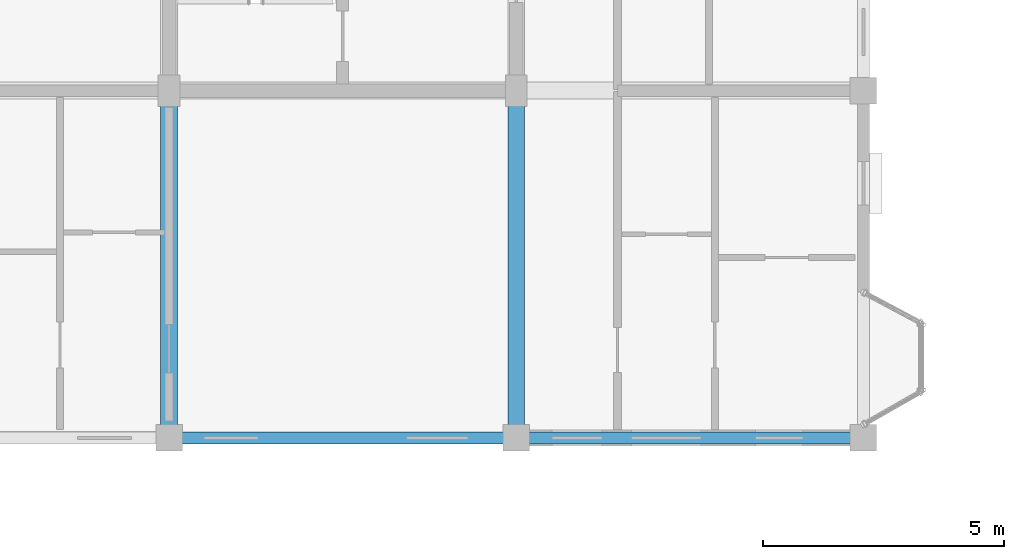
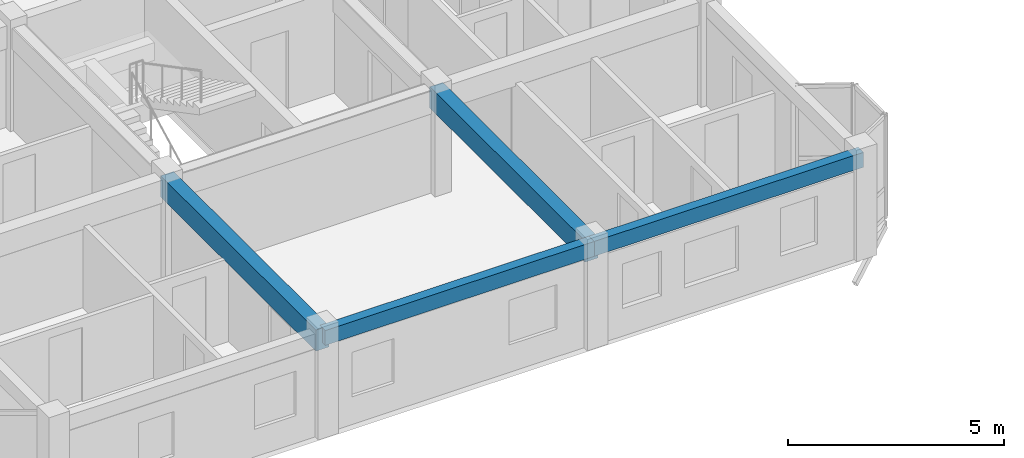
# One storey, part 14 of 77: 4 beams.
"""IFC4 building model written with IfcOpenShell, lengths in metres."""

from ifc_helpers import new_model, si_unit, direction, frame, origin, origin_2d, place, context, subcontext, project, spatial, rectangle, extrude, material, material_profile, profile_set, type_object, element, save


model = new_model("IFC4")

# Units and contexts
model_context = context("Model", 3, precision=1e-05, world=origin(), true_north=direction((0.0, 1.0)))
body_context = subcontext(model_context, "Body", "Model", "MODEL_VIEW")
ifc_project = project(units=[si_unit("LENGTHUNIT", "METRE"), si_unit("AREAUNIT", "SQUARE_METRE"), si_unit("VOLUMEUNIT", "CUBIC_METRE"), si_unit("PLANEANGLEUNIT", "RADIAN"), si_unit("MASSUNIT", "GRAM", prefix="KILO"), si_unit("THERMODYNAMICTEMPERATUREUNIT", "KELVIN"), si_unit("POWERUNIT", "WATT")], contexts=[model_context])

# Site, building, storey
site_placement = place(None, origin())
site = spatial("IfcSite", under=ifc_project, at=site_placement, CompositionType="ELEMENT")
building_placement = place(site_placement, origin())
building = spatial("IfcBuilding", under=site, at=building_placement, Name="Tavuni Mirador Residences", CompositionType="ELEMENT")
storey_placement = place(building_placement, frame((0.0, 0.0, 17.10009765625)))
storey = spatial("IfcBuildingStorey", under=building, at=storey_placement, Name="L05", CompositionType="ELEMENT", Elevation=17.10009765625)

# Beams
ifc_material = material(Name="Precast concrete C40/50", Category="concrete")
ifc_material_profile_1 = material_profile(ifc_material, rectangle(XDim=0.35009765625, YDim=0.60009765625, at=origin_2d()), Name="PC 350x600", Category="concrete")
ifc_profile_set_1 = profile_set([ifc_material_profile_1], Name="Precast concrete C40/50")
beam_type_1 = type_object("IfcBeamType", Name="BT-B600", PredefinedType="BEAM", material=ifc_profile_set_1)
for number, where, z_axis, x_axis, name in (
    (1, (10.800048828125, 64.800048828125, 2.60986328125), (0.0, 1.0, 0.0), (-1.0, 0.0, 0.0), "BMY-BLK-B-L05-01-00"),
    (2, (18.0, 64.800048828125, 2.60986328125), (0.0, 1.0, 0.0), (-1.0, 0.0, 0.0), "BMY-BLK-B-L05-02-00"),
):
    element("IfcBeam", number, at=place(storey_placement, frame(where, z_axis=z_axis, x_axis=x_axis)), inside=storey, type_object=beam_type_1, Name=name, PredefinedType="BEAM", context=body_context, shape_type="SweptSolid", body=[
        extrude(rectangle(XDim=0.35009765625, YDim=0.60009765625, at=origin_2d()), origin(), (0.0, 0.0, 1.0), 7.199951171875),
    ])
ifc_material_profile_2 = material_profile(ifc_material, rectangle(XDim=0.25, YDim=0.419921875, at=origin_2d()), Name="PC 250x420", Category="concrete")
ifc_profile_set_2 = profile_set([ifc_material_profile_2], Name="Precast concrete C40/50")
beam_type_2 = type_object("IfcBeamType", Name="BT-SP420", PredefinedType="SPANDREL", material=ifc_profile_set_2)
for number, where, z_axis, x_axis, name in (
    (3, (10.800048828125, 64.800048828125, 2.699951171875), (1.0, 0.0, 0.0), (0.0, 1.0, 0.0), "BMX-BLK-B-L05-01-00"),
    (4, (18.0, 64.800048828125, 2.699951171875), (1.0, 0.0, 0.0), (0.0, 1.0, 0.0), "BMX-BLK-B-L05-02-00"),
):
    element("IfcBeam", number, at=place(storey_placement, frame(where, z_axis=z_axis, x_axis=x_axis)), inside=storey, type_object=beam_type_2, Name=name, PredefinedType="SPANDREL", context=body_context, shape_type="SweptSolid", body=[
        extrude(rectangle(XDim=0.25, YDim=0.419921875, at=origin_2d()), origin(), (0.0, 0.0, 1.0), 7.199951171875),
    ])

save(model, "model.ifc")
